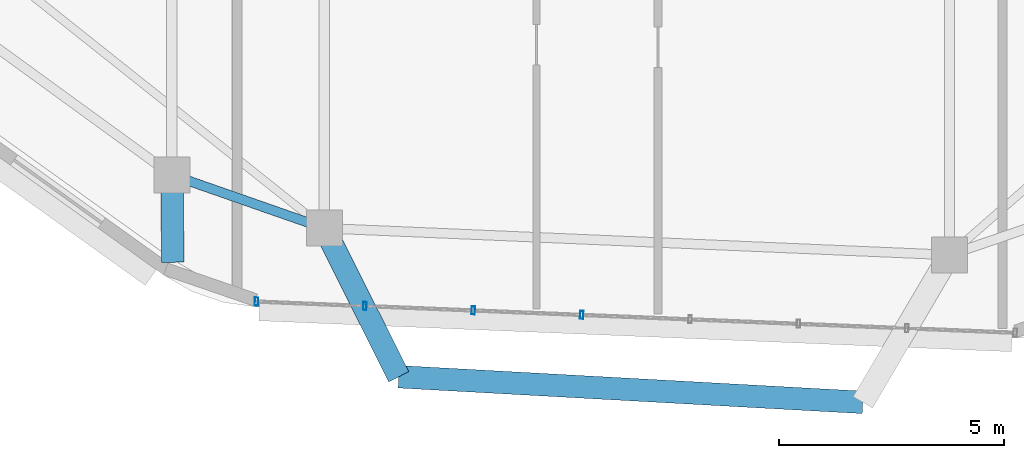
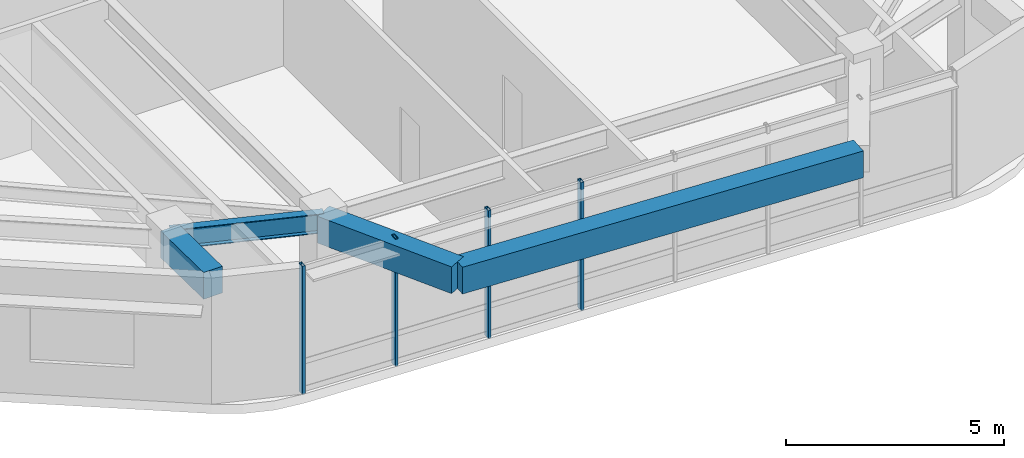
# One storey, part 2 of 13: 4 beams, 4 members, 1 element without a shape of its own.
"""IFC4 building model written with IfcOpenShell, lengths in metres."""

from ifc_helpers import new_model, si_unit, direction, frame, origin, origin_2d, place, context, subcontext, project, spatial, rectangle, hollow_rectangle, i_section, extrude, material, material_profile, profile_set, type_object, element, aggregate, save


model = new_model("IFC4")

# Units and contexts
model_context = context("Model", 3, precision=1e-05, world=origin(), true_north=direction((0.0, 1.0)))
body_context = subcontext(model_context, "Body", "Model", "MODEL_VIEW")
ifc_project = project(units=[si_unit("LENGTHUNIT", "METRE"), si_unit("AREAUNIT", "SQUARE_METRE"), si_unit("VOLUMEUNIT", "CUBIC_METRE"), si_unit("PLANEANGLEUNIT", "RADIAN"), si_unit("MASSUNIT", "GRAM", prefix="KILO")], contexts=[model_context])

# Site, building, storey
site_placement = place(None, origin())
site = spatial("IfcSite", under=ifc_project, at=site_placement, CompositionType="ELEMENT")
building_placement = place(site_placement, origin())
building = spatial("IfcBuilding", under=site, at=building_placement, Name="Zulverin Broadcast Headquarters", CompositionType="ELEMENT")
storey_placement = place(building_placement, frame((0.0, 0.0, 301.0)))
storey = spatial("IfcBuildingStorey", under=building, at=storey_placement, Name="L77", CompositionType="ELEMENT", Elevation=301.0)

# Beams
ifc_material_1 = material(Name="Concrete C40/50", Category="concrete")
ifc_material_profile_1 = material_profile(ifc_material_1, rectangle(XDim=0.5, YDim=0.75, at=origin_2d()), Name="Concrete C40/50", Category="concrete")
ifc_profile_set_1 = profile_set([ifc_material_profile_1], Name="Concrete C40/50")
beam_type_1 = type_object("IfcBeamType", Name="BM-RC-500x750", PredefinedType="BEAM", material=ifc_profile_set_1)
beam_1_placement = place(storey_placement, frame((27.54541015625, 5.8857421875, 3.1650390625), z_axis=(0.012082189143, -0.999927007689, 0.0), x_axis=(0.999927007689, 0.012082189143, 0.0)))
element("IfcBeam", 1, at=beam_1_placement, inside=storey, type_object=beam_type_1, Name="L78 Plate Overhang Back-Spanned Beam OVR-16", PredefinedType="BEAM", context=body_context, shape_type="SweptSolid", body=[
    extrude(rectangle(XDim=0.5, YDim=0.75, at=origin_2d()), origin(), (0.0, 0.0, 1.0), 1.93994140625),
])
beam_2_placement = place(storey_placement, frame((30.93359375, 4.703125, 3.1650390625), z_axis=(0.448086148885, -0.893990382039, 0.0), x_axis=(0.893990382039, 0.448086148885, 0.0)))
element("IfcBeam", 2, at=beam_2_placement, inside=storey, type_object=beam_type_1, Name="L78 Balcony Column-Framed Cantilever BAL_S-1", PredefinedType="BEAM", context=body_context, shape_type="SweptSolid", body=[
    extrude(rectangle(XDim=0.5, YDim=0.75, at=origin_2d()), origin(), (0.0, 0.0, 1.0), 3.6923828125),
])
beam_3_placement = place(storey_placement, frame((32.588134765625, 1.402099609375, 3.1650390625), z_axis=(0.998480723928, -0.05510212286, 0.0), x_axis=(0.05510212286, 0.998480723928, 0.0)))
element("IfcBeam", 3, at=beam_3_placement, inside=storey, type_object=beam_type_1, Name="L78 Balcony Outer Edge Trimmer Beam BAL_S", PredefinedType="BEAM", context=body_context, shape_type="SweptSolid", body=[
    extrude(rectangle(XDim=0.5, YDim=0.75, at=origin_2d()), origin(), (0.0, 0.0, 1.0), 10.327880859375),
])
ifc_material_2 = material(Name="Structural steel S355JR", Category="steel")
ifc_material_profile_2 = material_profile(ifc_material_2, i_section(OverallWidth=0.2119140625, OverallDepth=0.54443359375, WebThickness=0.0126953125, FlangeThickness=0.021240234375, at=origin_2d()), Name="Structural steel S355JR", Category="steel")
ifc_profile_set_2 = profile_set([ifc_material_profile_2], Name="Structural steel S355JR")
beam_type_2 = type_object("IfcBeamType", Name="BM-UB-533", PredefinedType="SPANDREL", material=ifc_profile_set_2)
beam_4_placement = place(storey_placement, frame((27.54541015625, 5.8857421875, 3.267822265625), z_axis=(0.944140138036, -0.329544230339, 0.0), x_axis=(0.329544230339, 0.944140138036, 0.0)))
element("IfcBeam", 4, at=beam_4_placement, inside=storey, type_object=beam_type_2, Name="L77 Perimeter Spandrel Beam SP-16", PredefinedType="SPANDREL", context=body_context, shape_type="SweptSolid", body=[
    extrude(i_section(OverallWidth=0.2119140625, OverallDepth=0.54443359375, WebThickness=0.0126953125, FlangeThickness=0.021240234375, at=origin_2d()), origin(), (0.0, 0.0, 1.0), 3.588623046875),
])

# Curtain wall, members
ifc_material_3 = material(Name="High-zone solar-control unitised curtain wall", Category="aluminium")
curtain_wall_type = type_object("IfcCurtainWallType", Name="CW-TWR-UPP", PredefinedType="USERDEFINED", material=ifc_material_3)
curtain_wall_placement = place(storey_placement, origin())
curtain_wall = element("IfcCurtainWall", 5, at=curtain_wall_placement, inside=storey, type_object=curtain_wall_type, Name="L77 Unitised Curtain Wall CW-L77-E1", ObjectType="UNITISED CURTAIN WALL", PredefinedType="USERDEFINED")
ifc_material_4 = material(Name="Anodized pale-metal aluminium alloy 6063-T6", Category="aluminium")
ifc_material_profile_3 = material_profile(ifc_material_4, hollow_rectangle(XDim=0.074951171875, YDim=0.179931640625, WallThickness=0.0048828125, at=origin_2d()), Name="Anodized pale-metal aluminium alloy 6063-T6", Category="aluminium")
ifc_profile_set_3 = profile_set([ifc_material_profile_3], Name="Anodized pale-metal aluminium alloy 6063-T6")
member_type = type_object("IfcMemberType", Name="CW-MUL-180", PredefinedType="MULLION", material=ifc_profile_set_3)
member_1_placement = place(storey_placement, frame((29.427490234375, 3.0732421875, -0.030029296875), z_axis=(0.0, 0.0, 1.0), x_axis=(0.99915627139, -0.041070005388, 0.0)))
member_1 = element("IfcMember", 6, at=member_1_placement, type_object=member_type, Name="CW-L77-E1 Mullion 00", PredefinedType="MULLION", context=body_context, shape_type="SweptSolid", body=[
    extrude(hollow_rectangle(XDim=0.074951171875, YDim=0.179931640625, WallThickness=0.0048828125, at=origin_2d()), origin(), (0.0, 0.0, 1.0), 3.60009765625),
])
member_2_placement = place(storey_placement, frame((31.83642578125, 2.974365234375, -0.030029296875), z_axis=(0.0, 0.0, 1.0), x_axis=(0.99915627139, -0.041070005388, 0.0)))
member_2 = element("IfcMember", 7, at=member_2_placement, type_object=member_type, Name="CW-L77-E1 Mullion 01", PredefinedType="MULLION", context=body_context, shape_type="SweptSolid", body=[
    extrude(hollow_rectangle(XDim=0.074951171875, YDim=0.179931640625, WallThickness=0.0048828125, at=origin_2d()), origin(), (0.0, 0.0, 1.0), 3.60009765625),
])
member_3_placement = place(storey_placement, frame((34.2451171875, 2.875244140625, -0.030029296875), z_axis=(0.0, 0.0, 1.0), x_axis=(0.99915627139, -0.041070005388, 0.0)))
member_3 = element("IfcMember", 8, at=member_3_placement, type_object=member_type, Name="CW-L77-E1 Mullion 02", PredefinedType="MULLION", context=body_context, shape_type="SweptSolid", body=[
    extrude(hollow_rectangle(XDim=0.074951171875, YDim=0.179931640625, WallThickness=0.0048828125, at=origin_2d()), origin(), (0.0, 0.0, 1.0), 3.60009765625),
])
member_4_placement = place(storey_placement, frame((36.654052734375, 2.7763671875, -0.030029296875), z_axis=(0.0, 0.0, 1.0), x_axis=(0.99915627139, -0.041070005388, 0.0)))
member_4 = element("IfcMember", 9, at=member_4_placement, type_object=member_type, Name="CW-L77-E1 Mullion 03", PredefinedType="MULLION", context=body_context, shape_type="SweptSolid", body=[
    extrude(hollow_rectangle(XDim=0.074951171875, YDim=0.179931640625, WallThickness=0.0048828125, at=origin_2d()), origin(), (0.0, 0.0, 1.0), 3.60009765625),
])
aggregate(curtain_wall, [member_1, member_2, member_3, member_4])

save(model, "model.ifc")
